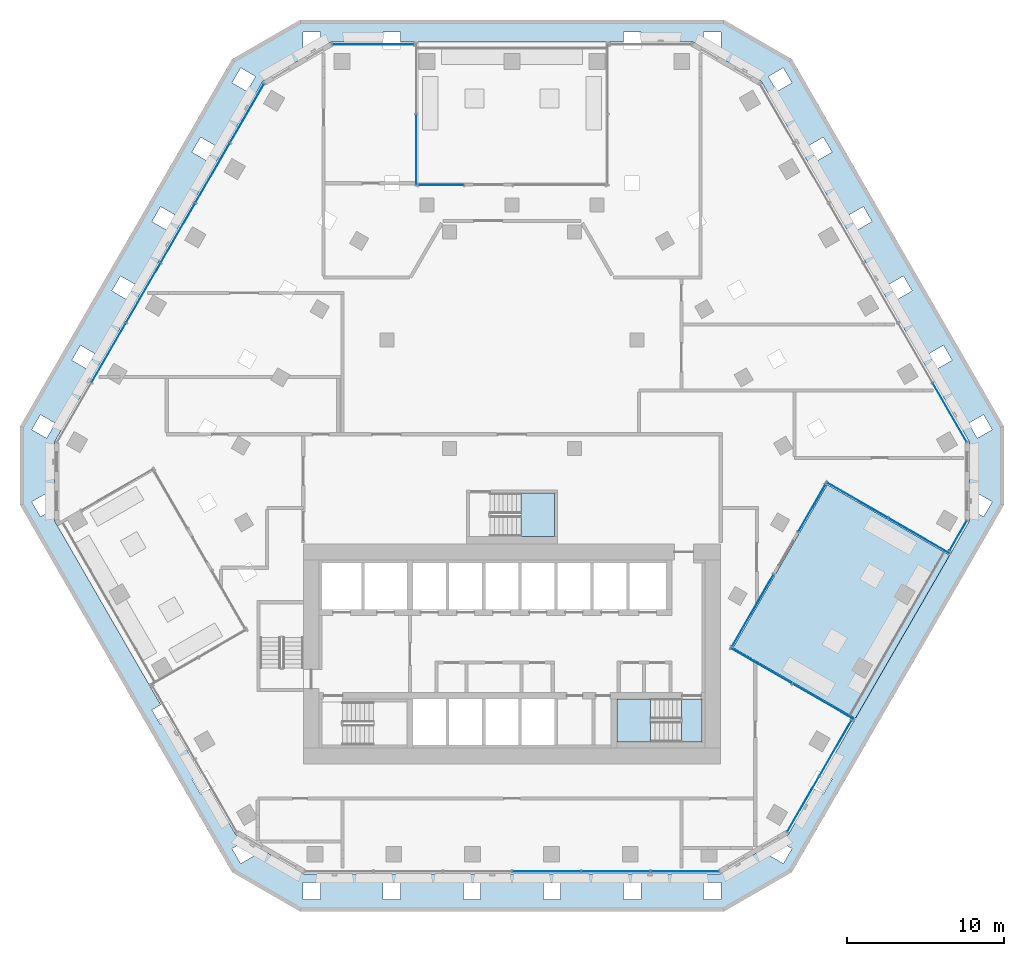
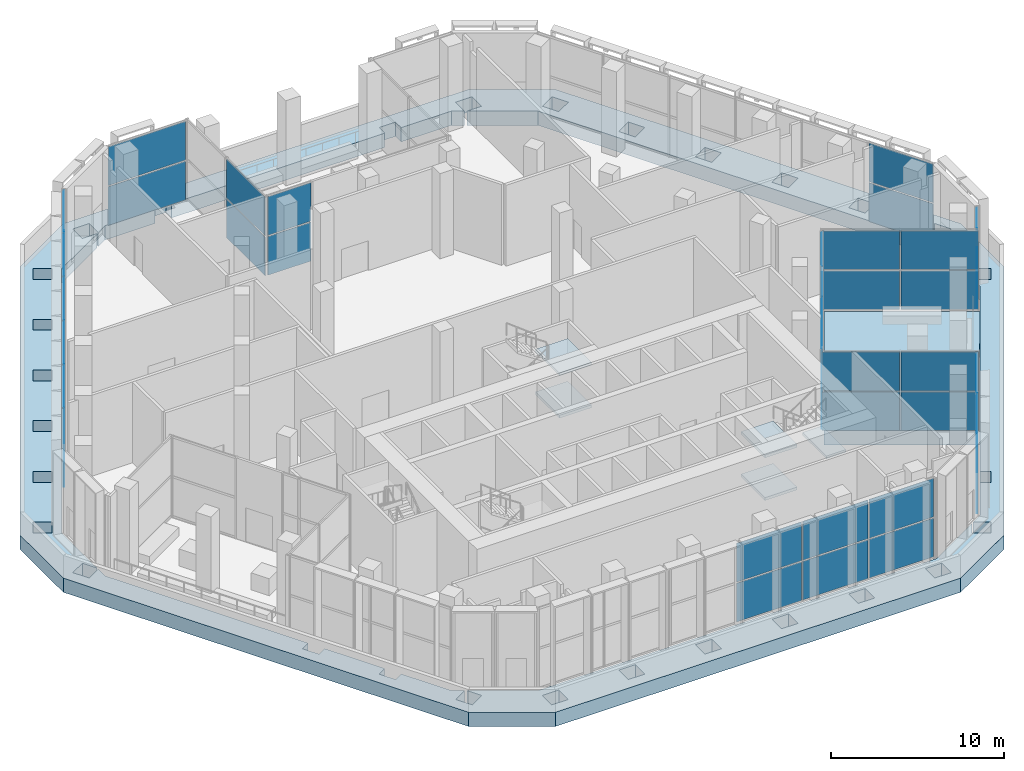
# One storey, part 7 of 23: 42 plates, 7 slabs, 14 elements without a shape of their own.
"""IFC4 building model written with IfcOpenShell, lengths in metres."""

from ifc_helpers import new_model, si_unit, direction, frame, origin, origin_2d, place, context, subcontext, project, spatial, polyline, rectangle, outline, extrude, material, layer, layer_set, type_object, element, aggregate, save


model = new_model("IFC4")

# Units and contexts
model_context = context("Model", 3, precision=1e-05, world=origin(), true_north=direction((0.0, 1.0)))
body_context = subcontext(model_context, "Body", "Model", "MODEL_VIEW")
ifc_project = project(units=[si_unit("LENGTHUNIT", "METRE"), si_unit("AREAUNIT", "SQUARE_METRE"), si_unit("VOLUMEUNIT", "CUBIC_METRE"), si_unit("PLANEANGLEUNIT", "RADIAN"), si_unit("MASSUNIT", "GRAM", prefix="KILO")], contexts=[model_context])

# Site, building, storey
site_placement = place(None, origin())
site = spatial("IfcSite", under=ifc_project, at=site_placement, CompositionType="ELEMENT")
building_placement = place(site_placement, origin())
building = spatial("IfcBuilding", under=site, at=building_placement, Name="Beryl Residences", CompositionType="ELEMENT")
storey_placement = place(building_placement, frame((0.0, 0.0, 66.0)))
storey = spatial("IfcBuildingStorey", under=building, at=storey_placement, Name="L20", CompositionType="ELEMENT", Elevation=66.0)

# Curtain wall, plates
ifc_material_1 = material(Name="Aluminium and clear glass", Category="aluminium")
curtain_wall_type = type_object("IfcCurtainWallType", Name="CW3 sky garden glazing glazed wall", PredefinedType="NOTDEFINED", material=ifc_material_1)
curtain_wall_1_placement = place(storey_placement, origin())
curtain_wall_1 = element("IfcCurtainWall", 1, at=curtain_wall_1_placement, inside=storey, type_object=curtain_wall_type, Name="CW3 L20 N", PredefinedType="NOTDEFINED")
ifc_material_2 = material(Name="Clear laminated glass", Category="glass")
ifc_layer_1 = layer(ifc_material_2, 0.028076171875)
ifc_layer_set_1 = layer_set([ifc_layer_1], Name="CW3-P glazing panel 28 mm")
plate_type = type_object("IfcPlateType", Name="CW3-P glazing panel 28 mm", PredefinedType="CURTAIN_PANEL", material=ifc_layer_set_1)
plate_1_placement = place(storey_placement, frame((-8.841064453125, 26.85009765625, 0.080078125), z_axis=(0.0, 0.0, 1.0), x_axis=(-1.0, 0.0, 0.0)))
plate_1 = element("IfcPlate", 2, at=plate_1_placement, type_object=plate_type, Name="CW3 panel 1.1", PredefinedType="CURTAIN_PANEL", context=body_context, shape_type="SweptSolid", body=[
    extrude(rectangle(XDim=5.172119140625, YDim=0.028076171875, at=origin_2d()), origin(), (0.0, 0.0, 1.0), 2.72998046875),
])
plate_2_placement = place(storey_placement, frame((-8.841064453125, 26.85009765625, 2.889892578125), z_axis=(0.0, 0.0, 1.0), x_axis=(-1.0, 0.0, 0.0)))
plate_2 = element("IfcPlate", 3, at=plate_2_placement, type_object=plate_type, Name="CW3 panel 1.2", PredefinedType="CURTAIN_PANEL", context=body_context, shape_type="SweptSolid", body=[
    extrude(rectangle(XDim=5.172119140625, YDim=0.028076171875, at=origin_2d()), origin(), (0.0, 0.0, 1.0), 2.72998046875),
])
aggregate(curtain_wall_1, [plate_1, plate_2])

curtain_wall_2_placement = place(storey_placement, origin())
curtain_wall_2 = element("IfcCurtainWall", 4, at=curtain_wall_2_placement, inside=storey, type_object=curtain_wall_type, Name="CW3 L20 NW", PredefinedType="NOTDEFINED")
plate_3_placement = place(storey_placement, frame((-16.88134765625, 22.4619140625, 0.080078125), z_axis=(0.0, 0.0, 1.0), x_axis=(-0.500010149942, -0.866019543634, 0.0)))
plate_3 = element("IfcPlate", 5, at=plate_3_placement, type_object=plate_type, Name="CW3 panel 1.1", PredefinedType="CURTAIN_PANEL", context=body_context, shape_type="SweptSolid", body=[
    extrude(rectangle(XDim=4.29296875, YDim=0.028076171875, at=origin_2d()), origin(), (0.0, 0.0, 1.0), 2.72998046875),
])
plate_4_placement = place(storey_placement, frame((-16.88134765625, 22.4619140625, 2.889892578125), z_axis=(0.0, 0.0, 1.0), x_axis=(-0.500010149942, -0.866019543634, 0.0)))
plate_4 = element("IfcPlate", 6, at=plate_4_placement, type_object=plate_type, Name="CW3 panel 1.2", PredefinedType="CURTAIN_PANEL", context=body_context, shape_type="SweptSolid", body=[
    extrude(rectangle(XDim=4.29296875, YDim=0.028076171875, at=origin_2d()), origin(), (0.0, 0.0, 1.0), 2.72998046875),
])
plate_5_placement = place(storey_placement, frame((-19.07763671875, 18.657470703125, 0.080078125), z_axis=(0.0, 0.0, 1.0), x_axis=(-0.500010149942, -0.866019543634, 0.0)))
plate_5 = element("IfcPlate", 7, at=plate_5_placement, type_object=plate_type, Name="CW3 panel 2.1", PredefinedType="CURTAIN_PANEL", context=body_context, shape_type="SweptSolid", body=[
    extrude(rectangle(XDim=4.3330078125, YDim=0.028076171875, at=origin_2d()), origin(), (0.0, 0.0, 1.0), 2.72998046875),
])
plate_6_placement = place(storey_placement, frame((-19.07763671875, 18.657470703125, 2.889892578125), z_axis=(0.0, 0.0, 1.0), x_axis=(-0.500010149942, -0.866019543634, 0.0)))
plate_6 = element("IfcPlate", 8, at=plate_6_placement, type_object=plate_type, Name="CW3 panel 2.2", PredefinedType="CURTAIN_PANEL", context=body_context, shape_type="SweptSolid", body=[
    extrude(rectangle(XDim=4.3330078125, YDim=0.028076171875, at=origin_2d()), origin(), (0.0, 0.0, 1.0), 2.72998046875),
])
plate_7_placement = place(storey_placement, frame((-21.2841796875, 14.8359375, 0.080078125), z_axis=(0.0, 0.0, 1.0), x_axis=(-0.500010149942, -0.866019543634, 0.0)))
plate_7 = element("IfcPlate", 9, at=plate_7_placement, type_object=plate_type, Name="CW3 panel 3.1", PredefinedType="CURTAIN_PANEL", context=body_context, shape_type="SweptSolid", body=[
    extrude(rectangle(XDim=4.3330078125, YDim=0.028076171875, at=origin_2d()), origin(), (0.0, 0.0, 1.0), 2.72998046875),
])
plate_8_placement = place(storey_placement, frame((-21.2841796875, 14.8359375, 2.889892578125), z_axis=(0.0, 0.0, 1.0), x_axis=(-0.500010149942, -0.866019543634, 0.0)))
plate_8 = element("IfcPlate", 10, at=plate_8_placement, type_object=plate_type, Name="CW3 panel 3.2", PredefinedType="CURTAIN_PANEL", context=body_context, shape_type="SweptSolid", body=[
    extrude(rectangle(XDim=4.3330078125, YDim=0.028076171875, at=origin_2d()), origin(), (0.0, 0.0, 1.0), 2.72998046875),
])
plate_9_placement = place(storey_placement, frame((-23.49072265625, 11.01416015625, 0.080078125), z_axis=(0.0, 0.0, 1.0), x_axis=(-0.500010149942, -0.866019543634, 0.0)))
plate_9 = element("IfcPlate", 11, at=plate_9_placement, type_object=plate_type, Name="CW3 panel 4.1", PredefinedType="CURTAIN_PANEL", context=body_context, shape_type="SweptSolid", body=[
    extrude(rectangle(XDim=4.3330078125, YDim=0.028076171875, at=origin_2d()), origin(), (0.0, 0.0, 1.0), 2.72998046875),
])
plate_10_placement = place(storey_placement, frame((-23.49072265625, 11.01416015625, 2.889892578125), z_axis=(0.0, 0.0, 1.0), x_axis=(-0.500010149942, -0.866019543634, 0.0)))
plate_10 = element("IfcPlate", 12, at=plate_10_placement, type_object=plate_type, Name="CW3 panel 4.2", PredefinedType="CURTAIN_PANEL", context=body_context, shape_type="SweptSolid", body=[
    extrude(rectangle(XDim=4.3330078125, YDim=0.028076171875, at=origin_2d()), origin(), (0.0, 0.0, 1.0), 2.72998046875),
])
plate_11_placement = place(storey_placement, frame((-25.697265625, 7.1923828125, 0.080078125), z_axis=(0.0, 0.0, 1.0), x_axis=(-0.500010149942, -0.866019543634, 0.0)))
plate_11 = element("IfcPlate", 13, at=plate_11_placement, type_object=plate_type, Name="CW3 panel 5.1", PredefinedType="CURTAIN_PANEL", context=body_context, shape_type="SweptSolid", body=[
    extrude(rectangle(XDim=4.3330078125, YDim=0.028076171875, at=origin_2d()), origin(), (0.0, 0.0, 1.0), 2.72998046875),
])
plate_12_placement = place(storey_placement, frame((-25.697265625, 7.1923828125, 2.889892578125), z_axis=(0.0, 0.0, 1.0), x_axis=(-0.500010149942, -0.866019543634, 0.0)))
plate_12 = element("IfcPlate", 14, at=plate_12_placement, type_object=plate_type, Name="CW3 panel 5.2", PredefinedType="CURTAIN_PANEL", context=body_context, shape_type="SweptSolid", body=[
    extrude(rectangle(XDim=4.3330078125, YDim=0.028076171875, at=origin_2d()), origin(), (0.0, 0.0, 1.0), 2.72998046875),
])
aggregate(curtain_wall_2, [plate_3, plate_4, plate_5, plate_6, plate_7, plate_8, plate_9, plate_10, plate_11, plate_12])

curtain_wall_3_placement = place(storey_placement, origin())
curtain_wall_3 = element("IfcCurtainWall", 15, at=curtain_wall_3_placement, inside=storey, type_object=curtain_wall_type, Name="CW3 L20 S", PredefinedType="NOTDEFINED")
plate_13_placement = place(storey_placement, frame((2.20654296875, -25.85009765625, 0.080078125), z_axis=(0.0, 0.0, 1.0), x_axis=(1.0, 0.0, 0.0)))
plate_13 = element("IfcPlate", 16, at=plate_13_placement, type_object=plate_type, Name="CW3 panel 4.1", PredefinedType="CURTAIN_PANEL", context=body_context, shape_type="SweptSolid", body=[
    extrude(rectangle(XDim=4.3330078125, YDim=0.028076171875, at=origin_2d()), origin(), (0.0, 0.0, 1.0), 2.72998046875),
])
plate_14_placement = place(storey_placement, frame((2.20654296875, -25.85009765625, 2.889892578125), z_axis=(0.0, 0.0, 1.0), x_axis=(1.0, 0.0, 0.0)))
plate_14 = element("IfcPlate", 17, at=plate_14_placement, type_object=plate_type, Name="CW3 panel 4.2", PredefinedType="CURTAIN_PANEL", context=body_context, shape_type="SweptSolid", body=[
    extrude(rectangle(XDim=4.3330078125, YDim=0.028076171875, at=origin_2d()), origin(), (0.0, 0.0, 1.0), 2.72998046875),
])
plate_15_placement = place(storey_placement, frame((6.619384765625, -25.85009765625, 0.080078125), z_axis=(0.0, 0.0, 1.0), x_axis=(1.0, 0.0, 0.0)))
plate_15 = element("IfcPlate", 18, at=plate_15_placement, type_object=plate_type, Name="CW3 panel 5.1", PredefinedType="CURTAIN_PANEL", context=body_context, shape_type="SweptSolid", body=[
    extrude(rectangle(XDim=4.3330078125, YDim=0.028076171875, at=origin_2d()), origin(), (0.0, 0.0, 1.0), 2.72998046875),
])
plate_16_placement = place(storey_placement, frame((6.619384765625, -25.85009765625, 2.889892578125), z_axis=(0.0, 0.0, 1.0), x_axis=(1.0, 0.0, 0.0)))
plate_16 = element("IfcPlate", 19, at=plate_16_placement, type_object=plate_type, Name="CW3 panel 5.2", PredefinedType="CURTAIN_PANEL", context=body_context, shape_type="SweptSolid", body=[
    extrude(rectangle(XDim=4.3330078125, YDim=0.028076171875, at=origin_2d()), origin(), (0.0, 0.0, 1.0), 2.72998046875),
])
plate_17_placement = place(storey_placement, frame((11.012451171875, -25.85009765625, 0.080078125), z_axis=(0.0, 0.0, 1.0), x_axis=(1.0, 0.0, 0.0)))
plate_17 = element("IfcPlate", 20, at=plate_17_placement, type_object=plate_type, Name="CW3 panel 6.1", PredefinedType="CURTAIN_PANEL", context=body_context, shape_type="SweptSolid", body=[
    extrude(rectangle(XDim=4.29296875, YDim=0.028076171875, at=origin_2d()), origin(), (0.0, 0.0, 1.0), 2.72998046875),
])
plate_18_placement = place(storey_placement, frame((11.012451171875, -25.85009765625, 2.889892578125), z_axis=(0.0, 0.0, 1.0), x_axis=(1.0, 0.0, 0.0)))
plate_18 = element("IfcPlate", 21, at=plate_18_placement, type_object=plate_type, Name="CW3 panel 6.2", PredefinedType="CURTAIN_PANEL", context=body_context, shape_type="SweptSolid", body=[
    extrude(rectangle(XDim=4.29296875, YDim=0.028076171875, at=origin_2d()), origin(), (0.0, 0.0, 1.0), 2.72998046875),
])
aggregate(curtain_wall_3, [plate_13, plate_14, plate_15, plate_16, plate_17, plate_18])

curtain_wall_4_placement = place(storey_placement, origin())
curtain_wall_4 = element("IfcCurtainWall", 22, at=curtain_wall_4_placement, inside=storey, type_object=curtain_wall_type, Name="CW3 L20 SE", PredefinedType="NOTDEFINED")
plate_19_placement = place(storey_placement, frame((18.551513671875, -21.56884765625, 0.080078125), z_axis=(0.0, 0.0, 1.0), x_axis=(0.500037611077, 0.86600368793, 0.0)))
plate_19 = element("IfcPlate", 23, at=plate_19_placement, type_object=plate_type, Name="CW3 panel 1.1", PredefinedType="CURTAIN_PANEL", context=body_context, shape_type="SweptSolid", body=[
    extrude(rectangle(XDim=4.045654296875, YDim=0.028076171875, at=origin_2d()), origin(), (0.0, 0.0, 1.0), 2.72998046875),
])
plate_20_placement = place(storey_placement, frame((18.551513671875, -21.56884765625, 2.889892578125), z_axis=(0.0, 0.0, 1.0), x_axis=(0.500037611077, 0.86600368793, 0.0)))
plate_20 = element("IfcPlate", 24, at=plate_20_placement, type_object=plate_type, Name="CW3 panel 1.2", PredefinedType="CURTAIN_PANEL", context=body_context, shape_type="SweptSolid", body=[
    extrude(rectangle(XDim=4.045654296875, YDim=0.028076171875, at=origin_2d()), origin(), (0.0, 0.0, 1.0), 2.72998046875),
])
plate_21_placement = place(storey_placement, frame((20.614501953125, -17.99609375, 0.080078125), z_axis=(0.0, 0.0, 1.0), x_axis=(0.500037611077, 0.86600368793, 0.0)))
plate_21 = element("IfcPlate", 25, at=plate_21_placement, type_object=plate_type, Name="CW3 panel 2.1", PredefinedType="CURTAIN_PANEL", context=body_context, shape_type="SweptSolid", body=[
    extrude(rectangle(XDim=4.045654296875, YDim=0.028076171875, at=origin_2d()), origin(), (0.0, 0.0, 1.0), 2.72998046875),
])
plate_22_placement = place(storey_placement, frame((20.614501953125, -17.99609375, 2.889892578125), z_axis=(0.0, 0.0, 1.0), x_axis=(0.500037611077, 0.86600368793, 0.0)))
plate_22 = element("IfcPlate", 26, at=plate_22_placement, type_object=plate_type, Name="CW3 panel 2.2", PredefinedType="CURTAIN_PANEL", context=body_context, shape_type="SweptSolid", body=[
    extrude(rectangle(XDim=4.045654296875, YDim=0.028076171875, at=origin_2d()), origin(), (0.0, 0.0, 1.0), 2.72998046875),
])
aggregate(curtain_wall_4, [plate_19, plate_20, plate_21, plate_22])

curtain_wall_5_placement = place(storey_placement, origin())
curtain_wall_5 = element("IfcCurtainWall", 27, at=curtain_wall_5_placement, inside=storey, type_object=curtain_wall_type, Name="CW3 L20 SE", PredefinedType="NOTDEFINED")
plate_23_placement = place(storey_placement, frame((28.424072265625, -4.469482421875, 0.080078125), z_axis=(0.0, 0.0, 1.0), x_axis=(0.500106088592, 0.865964144843, 0.0)))
plate_23 = element("IfcPlate", 28, at=plate_23_placement, type_object=plate_type, Name="CW3 panel 1.1", PredefinedType="CURTAIN_PANEL", context=body_context, shape_type="SweptSolid", body=[
    extrude(rectangle(XDim=2.17138671875, YDim=0.028076171875, at=origin_2d()), origin(), (0.0, 0.0, 1.0), 2.72998046875),
])
plate_24_placement = place(storey_placement, frame((28.424072265625, -4.469482421875, 2.889892578125), z_axis=(0.0, 0.0, 1.0), x_axis=(0.500106088592, 0.865964144843, 0.0)))
plate_24 = element("IfcPlate", 29, at=plate_24_placement, type_object=plate_type, Name="CW3 panel 1.2", PredefinedType="CURTAIN_PANEL", context=body_context, shape_type="SweptSolid", body=[
    extrude(rectangle(XDim=2.17138671875, YDim=0.028076171875, at=origin_2d()), origin(), (0.0, 0.0, 1.0), 2.72998046875),
])
aggregate(curtain_wall_5, [plate_23, plate_24])

curtain_wall_6_placement = place(storey_placement, origin())
curtain_wall_6 = element("IfcCurtainWall", 30, at=curtain_wall_6_placement, inside=storey, type_object=curtain_wall_type, Name="CW3 L20 NE", PredefinedType="NOTDEFINED")
plate_25_placement = place(storey_placement, frame((27.893798828125, 3.38818359375, 0.080078125), z_axis=(0.0, 0.0, 1.0), x_axis=(-0.500010149942, 0.866019543634, 0.0)))
plate_25 = element("IfcPlate", 31, at=plate_25_placement, type_object=plate_type, Name="CW3 panel 1.1", PredefinedType="CURTAIN_PANEL", context=body_context, shape_type="SweptSolid", body=[
    extrude(rectangle(XDim=4.29296875, YDim=0.028076171875, at=origin_2d()), origin(), (0.0, 0.0, 1.0), 2.72998046875),
])
plate_26_placement = place(storey_placement, frame((27.893798828125, 3.38818359375, 2.889892578125), z_axis=(0.0, 0.0, 1.0), x_axis=(-0.500010149942, 0.866019543634, 0.0)))
plate_26 = element("IfcPlate", 32, at=plate_26_placement, type_object=plate_type, Name="CW3 panel 1.2", PredefinedType="CURTAIN_PANEL", context=body_context, shape_type="SweptSolid", body=[
    extrude(rectangle(XDim=4.29296875, YDim=0.028076171875, at=origin_2d()), origin(), (0.0, 0.0, 1.0), 2.72998046875),
])
aggregate(curtain_wall_6, [plate_25, plate_26])

curtain_wall_7_placement = place(storey_placement, origin())
curtain_wall_7 = element("IfcCurtainWall", 33, at=curtain_wall_7_placement, inside=storey, type_object=curtain_wall_type, Name="CW3 L20 N garden back", PredefinedType="NOTDEFINED")
plate_27_placement = place(storey_placement, frame((-4.512451171875, 17.89990234375, 0.080078125), z_axis=(0.0, 0.0, 1.0), x_axis=(-1.0, 0.0, 0.0)))
plate_27 = element("IfcPlate", 34, at=plate_27_placement, type_object=plate_type, Name="CW3 panel 1.1", PredefinedType="CURTAIN_PANEL", context=body_context, shape_type="SweptSolid", body=[
    extrude(rectangle(XDim=2.864990234375, YDim=0.028076171875, at=origin_2d()), origin(), (0.0, 0.0, 1.0), 2.72998046875),
])
plate_28_placement = place(storey_placement, frame((-4.512451171875, 17.89990234375, 2.889892578125), z_axis=(0.0, 0.0, 1.0), x_axis=(-1.0, 0.0, 0.0)))
plate_28 = element("IfcPlate", 35, at=plate_28_placement, type_object=plate_type, Name="CW3 panel 1.2", PredefinedType="CURTAIN_PANEL", context=body_context, shape_type="SweptSolid", body=[
    extrude(rectangle(XDim=2.864990234375, YDim=0.028076171875, at=origin_2d()), origin(), (0.0, 0.0, 1.0), 2.72998046875),
])
aggregate(curtain_wall_7, [plate_27, plate_28])

curtain_wall_8_placement = place(storey_placement, origin())
curtain_wall_8 = element("IfcCurtainWall", 36, at=curtain_wall_8_placement, inside=storey, type_object=curtain_wall_type, Name="CW3 L20 N garden right", PredefinedType="NOTDEFINED")
plate_29_placement = place(storey_placement, frame((-6.10009765625, 20.138671875, 0.080078125), z_axis=(0.0, 0.0, 1.0), x_axis=(0.0, -1.0, 0.0)))
plate_29 = element("IfcPlate", 37, at=plate_29_placement, type_object=plate_type, Name="CW3 panel 2.1", PredefinedType="CURTAIN_PANEL", context=body_context, shape_type="SweptSolid", body=[
    extrude(rectangle(XDim=4.467529296875, YDim=0.028076171875, at=origin_2d()), origin(), (0.0, 0.0, 1.0), 2.72998046875),
])
plate_30_placement = place(storey_placement, frame((-6.10009765625, 20.138671875, 2.889892578125), z_axis=(0.0, 0.0, 1.0), x_axis=(0.0, -1.0, 0.0)))
plate_30 = element("IfcPlate", 38, at=plate_30_placement, type_object=plate_type, Name="CW3 panel 2.2", PredefinedType="CURTAIN_PANEL", context=body_context, shape_type="SweptSolid", body=[
    extrude(rectangle(XDim=4.467529296875, YDim=0.028076171875, at=origin_2d()), origin(), (0.0, 0.0, 1.0), 2.72998046875),
])
aggregate(curtain_wall_8, [plate_29, plate_30])

curtain_wall_9_placement = place(storey_placement, origin())
curtain_wall_9 = element("IfcCurtainWall", 39, at=curtain_wall_9_placement, inside=storey, type_object=curtain_wall_type, Name="CW3 L20 SE garden back", PredefinedType="NOTDEFINED")
plate_31_placement = place(storey_placement, frame((15.345947265625, -9.220947265625, 0.080078125), z_axis=(0.0, 0.0, 1.0), x_axis=(0.499945861541, 0.866056658382, 0.0)))
plate_31 = element("IfcPlate", 40, at=plate_31_placement, type_object=plate_type, Name="CW3 panel 1.1", PredefinedType="CURTAIN_PANEL", context=body_context, shape_type="SweptSolid", body=[
    extrude(rectangle(XDim=5.2646484375, YDim=0.028076171875, at=origin_2d()), origin(), (0.0, 0.0, 1.0), 2.72998046875),
])
plate_32_placement = place(storey_placement, frame((15.345947265625, -9.220947265625, 2.889892578125), z_axis=(0.0, 0.0, 1.0), x_axis=(0.499945861541, 0.866056658382, 0.0)))
plate_32 = element("IfcPlate", 41, at=plate_32_placement, type_object=plate_type, Name="CW3 panel 1.2", PredefinedType="CURTAIN_PANEL", context=body_context, shape_type="SweptSolid", body=[
    extrude(rectangle(XDim=5.2646484375, YDim=0.028076171875, at=origin_2d()), origin(), (0.0, 0.0, 1.0), 2.72998046875),
])
aggregate(curtain_wall_9, [plate_31, plate_32])

curtain_wall_10_placement = place(storey_placement, origin())
curtain_wall_10 = element("IfcCurtainWall", 42, at=curtain_wall_10_placement, inside=storey, type_object=curtain_wall_type, Name="CW3 L20 SE garden back", PredefinedType="NOTDEFINED")
plate_33_placement = place(storey_placement, frame((19.1083984375, -2.7041015625, 0.080078125), z_axis=(0.0, 0.0, 1.0), x_axis=(0.500024853773, 0.866011053976, 0.0)))
plate_33 = element("IfcPlate", 43, at=plate_33_placement, type_object=plate_type, Name="CW3 panel 1.1", PredefinedType="CURTAIN_PANEL", context=body_context, shape_type="SweptSolid", body=[
    extrude(rectangle(XDim=3.4658203125, YDim=0.028076171875, at=origin_2d()), origin(), (0.0, 0.0, 1.0), 2.72998046875),
])
plate_34_placement = place(storey_placement, frame((19.1083984375, -2.7041015625, 2.889892578125), z_axis=(0.0, 0.0, 1.0), x_axis=(0.500024853773, 0.866011053976, 0.0)))
plate_34 = element("IfcPlate", 44, at=plate_34_placement, type_object=plate_type, Name="CW3 panel 1.2", PredefinedType="CURTAIN_PANEL", context=body_context, shape_type="SweptSolid", body=[
    extrude(rectangle(XDim=3.4658203125, YDim=0.028076171875, at=origin_2d()), origin(), (0.0, 0.0, 1.0), 2.72998046875),
])
aggregate(curtain_wall_10, [plate_33, plate_34])

curtain_wall_11_placement = place(storey_placement, origin())
curtain_wall_11 = element("IfcCurtainWall", 45, at=curtain_wall_11_placement, inside=storey, type_object=curtain_wall_type, Name="CW3 L20 SE garden left", PredefinedType="NOTDEFINED")
plate_35_placement = place(storey_placement, frame((19.8291015625, -15.028076171875, 0.080078125), z_axis=(0.0, 0.0, 1.0), x_axis=(-0.866007717298, 0.500030632642, 0.0)))
plate_35 = element("IfcPlate", 46, at=plate_35_placement, type_object=plate_type, Name="CW3 panel 1.1", PredefinedType="CURTAIN_PANEL", context=body_context, shape_type="SweptSolid", body=[
    extrude(rectangle(XDim=4.4677734375, YDim=0.028076171875, at=origin_2d()), origin(), (0.0, 0.0, 1.0), 2.72998046875),
])
plate_36_placement = place(storey_placement, frame((19.8291015625, -15.028076171875, 2.889892578125), z_axis=(0.0, 0.0, 1.0), x_axis=(-0.866007717298, 0.500030632642, 0.0)))
plate_36 = element("IfcPlate", 47, at=plate_36_placement, type_object=plate_type, Name="CW3 panel 1.2", PredefinedType="CURTAIN_PANEL", context=body_context, shape_type="SweptSolid", body=[
    extrude(rectangle(XDim=4.4677734375, YDim=0.028076171875, at=origin_2d()), origin(), (0.0, 0.0, 1.0), 2.72998046875),
])
plate_37_placement = place(storey_placement, frame((15.890869140625, -12.75390625, 0.080078125), z_axis=(0.0, 0.0, 1.0), x_axis=(-0.866007717298, 0.500030632642, 0.0)))
plate_37 = element("IfcPlate", 48, at=plate_37_placement, type_object=plate_type, Name="CW3 panel 2.1", PredefinedType="CURTAIN_PANEL", context=body_context, shape_type="SweptSolid", body=[
    extrude(rectangle(XDim=4.4677734375, YDim=0.028076171875, at=origin_2d()), origin(), (0.0, 0.0, 1.0), 2.72998046875),
])
plate_38_placement = place(storey_placement, frame((15.890869140625, -12.75390625, 2.889892578125), z_axis=(0.0, 0.0, 1.0), x_axis=(-0.866007717298, 0.500030632642, 0.0)))
plate_38 = element("IfcPlate", 49, at=plate_38_placement, type_object=plate_type, Name="CW3 panel 2.2", PredefinedType="CURTAIN_PANEL", context=body_context, shape_type="SweptSolid", body=[
    extrude(rectangle(XDim=4.4677734375, YDim=0.028076171875, at=origin_2d()), origin(), (0.0, 0.0, 1.0), 2.72998046875),
])
aggregate(curtain_wall_11, [plate_35, plate_36, plate_37, plate_38])

curtain_wall_12_placement = place(storey_placement, origin())
curtain_wall_12 = element("IfcCurtainWall", 50, at=curtain_wall_12_placement, inside=storey, type_object=curtain_wall_type, Name="CW3 L20 SE garden right", PredefinedType="NOTDEFINED")
plate_39_placement = place(storey_placement, frame((25.92919921875, -4.462158203125, 0.080078125), z_axis=(0.0, 0.0, 1.0), x_axis=(-0.866054910532, 0.499948889332, 0.0)))
plate_39 = element("IfcPlate", 51, at=plate_39_placement, type_object=plate_type, Name="CW3 panel 1.1", PredefinedType="CURTAIN_PANEL", context=body_context, shape_type="SweptSolid", body=[
    extrude(rectangle(XDim=4.467529296875, YDim=0.028076171875, at=origin_2d()), origin(), (0.0, 0.0, 1.0), 2.72998046875),
])
plate_40_placement = place(storey_placement, frame((25.92919921875, -4.462158203125, 2.889892578125), z_axis=(0.0, 0.0, 1.0), x_axis=(-0.866054910532, 0.499948889332, 0.0)))
plate_40 = element("IfcPlate", 52, at=plate_40_placement, type_object=plate_type, Name="CW3 panel 1.2", PredefinedType="CURTAIN_PANEL", context=body_context, shape_type="SweptSolid", body=[
    extrude(rectangle(XDim=4.467529296875, YDim=0.028076171875, at=origin_2d()), origin(), (0.0, 0.0, 1.0), 2.72998046875),
])
plate_41_placement = place(storey_placement, frame((21.99072265625, -2.188720703125, 0.080078125), z_axis=(0.0, 0.0, 1.0), x_axis=(-0.866054910532, 0.499948889332, 0.0)))
plate_41 = element("IfcPlate", 53, at=plate_41_placement, type_object=plate_type, Name="CW3 panel 2.1", PredefinedType="CURTAIN_PANEL", context=body_context, shape_type="SweptSolid", body=[
    extrude(rectangle(XDim=4.467529296875, YDim=0.028076171875, at=origin_2d()), origin(), (0.0, 0.0, 1.0), 2.72998046875),
])
plate_42_placement = place(storey_placement, frame((21.99072265625, -2.188720703125, 2.889892578125), z_axis=(0.0, 0.0, 1.0), x_axis=(-0.866054910532, 0.499948889332, 0.0)))
plate_42 = element("IfcPlate", 54, at=plate_42_placement, type_object=plate_type, Name="CW3 panel 2.2", PredefinedType="CURTAIN_PANEL", context=body_context, shape_type="SweptSolid", body=[
    extrude(rectangle(XDim=4.467529296875, YDim=0.028076171875, at=origin_2d()), origin(), (0.0, 0.0, 1.0), 2.72998046875),
])
aggregate(curtain_wall_12, [plate_39, plate_40, plate_41, plate_42])

# Slabs
ifc_material_3 = material(Name="Concrete C60/75", Category="concrete")
ifc_layer_2 = layer(ifc_material_3, 1.0)
ifc_layer_set_2 = layer_set([ifc_layer_2], Name="SL10 garden slab 1000 mm C60/75")
slab_type_1 = type_object("IfcSlabType", Name="SL10 garden slab 1000 mm C60/75", PredefinedType="FLOOR", material=ifc_layer_set_2)
slab_1_placement = place(storey_placement, frame((0.0, 0.0, -1.0)))
element("IfcSlab", 55, at=slab_1_placement, inside=storey, type_object=slab_type_1, Name="garden L20 SE 1", PredefinedType="FLOOR", context=body_context, shape_type="SweptSolid", body=[
    extrude(outline(polyline([(27.88330078125, -5.7060546875), (21.8828125, -16.097900390625), (14.089111328125, -11.597900390625), (20.089111328125, -1.2060546875), (27.88330078125, -5.7060546875)])), origin(), (0.0, 0.0, 1.0), 1.0),
])
ifc_material_4 = material(Name="Concrete C60/75", Category="concrete")
ifc_layer_3 = layer(ifc_material_4, 1.0)
ifc_layer_set_3 = layer_set([ifc_layer_3], Name="SL11 roof strip slab 1000 mm C60/75")
slab_type_2 = type_object("IfcSlabType", Name="SL11 roof strip slab 1000 mm C60/75", PredefinedType="ROOF", material=ifc_layer_set_3)
slab_2_placement = place(storey_placement, frame((0.0, 0.0, -1.0)))
element("IfcSlab", 56, at=slab_2_placement, inside=storey, type_object=slab_type_2, Name="roof L20 1 1", PredefinedType="ROOF", context=body_context, shape_type="SweptSolid", body=[
    extrude(outline(polyline([(31.35009765625, -2.5), (17.840087890625, -25.89990234375), (13.510009765625, -28.39990234375), (-13.510009765625, -28.39990234375), (-17.840087890625, -25.89990234375), (-31.35009765625, -2.5), (-31.35009765625, 2.5), (-17.840087890625, 25.89990234375), (-13.510009765625, 28.39990234375), (13.510009765625, 28.39990234375), (17.840087890625, 25.89990234375), (31.35009765625, 2.5), (31.35009765625, -2.5)]), holes=[polyline([(11.547119140625, 27.0009765625), (8.205078125, 27.0009765625), (8.205078125, 27.64990234375), (7.10498046875, 27.64990234375), (7.10498046875, 27.0009765625), (-7.10693359375, 27.0009765625), (-7.10693359375, 27.64990234375), (-8.20703125, 27.64990234375), (-8.20703125, 27.0009765625), (-11.547119140625, 27.0009765625), (-12.2109375, 26.617919921875), (-12.2109375, 27.64990234375), (-13.31103515625, 27.64990234375), (-13.31103515625, 26.550048828125), (-12.328369140625, 26.550048828125), (-15.87744140625, 24.5009765625), (-29.157958984375, 1.50048828125), (-29.157958984375, -2.595458984375), (-29.64697265625, -1.7490234375), (-30.59912109375, -2.299072265625), (-30.049072265625, -3.2509765625), (-29.157958984375, -2.736083984375), (-29.157958984375, -3.5), (-22.382080078125, -15.2353515625), (-22.944091796875, -15.56005859375), (-22.39404296875, -16.511962890625), (-21.83251953125, -16.1875), (-19.830078125, -19.6552734375), (-20.39208984375, -19.97998046875), (-19.842041015625, -20.931884765625), (-19.2802734375, -20.607421875), (-17.60986328125, -23.50048828125), (-16.9462890625, -23.8837890625), (-17.840087890625, -24.39990234375), (-17.2900390625, -25.35205078125), (-16.337890625, -24.802001953125), (-16.82958984375, -23.951171875), (-13.279541015625, -26.0009765625), (13.279052734375, -26.0009765625), (16.830078125, -23.95068359375), (16.339111328125, -24.801025390625), (17.291015625, -25.35107421875), (17.841064453125, -24.39892578125), (16.94775390625, -23.8828125), (17.609619140625, -23.5009765625), (19.281005859375, -20.606201171875), (19.843017578125, -20.930908203125), (20.39306640625, -19.97900390625), (19.830810546875, -19.654296875), (29.157958984375, -3.50048828125), (29.157958984375, -2.734619140625), (30.050048828125, -3.25), (30.60009765625, -2.298095703125), (29.64794921875, -1.748046875), (29.157958984375, -2.59619140625), (29.157958984375, 1.5), (15.8779296875, 24.50048828125), (12.328369140625, 26.550048828125), (13.30908203125, 26.550048828125), (13.30908203125, 27.64990234375), (12.208984375, 27.64990234375), (12.208984375, 26.618896484375), (11.547119140625, 27.0009765625)]), polyline([(30.59912109375, 2.299072265625), (30.049072265625, 3.2509765625), (29.096923828125, 2.700927734375), (29.64697265625, 1.7490234375), (30.59912109375, 2.299072265625)]), polyline([(28.048095703125, 6.719970703125), (27.498046875, 7.672119140625), (26.5458984375, 7.1220703125), (27.095947265625, 6.169921875), (28.048095703125, 6.719970703125)]), polyline([(24.946044921875, 12.092041015625), (23.993896484375, 11.5419921875), (24.5439453125, 10.590087890625), (25.49609375, 11.139892578125), (24.946044921875, 12.092041015625)]), polyline([(22.944091796875, 15.56005859375), (22.39404296875, 16.511962890625), (21.44189453125, 15.9619140625), (21.991943359375, 15.010009765625), (22.944091796875, 15.56005859375)]), polyline([(19.842041015625, 20.931884765625), (18.889892578125, 20.382080078125), (19.43994140625, 19.429931640625), (20.39208984375, 19.97998046875), (19.842041015625, 20.931884765625)]), polyline([(17.840087890625, 24.39990234375), (17.2900390625, 25.35205078125), (16.337890625, 24.802001953125), (16.887939453125, 23.85009765625), (17.840087890625, 24.39990234375)]), polyline([(13.31103515625, -27.64990234375), (13.31103515625, -26.550048828125), (12.2109375, -26.550048828125), (12.2109375, -27.64990234375), (13.31103515625, -27.64990234375)]), polyline([(8.20703125, -27.64990234375), (8.20703125, -26.550048828125), (7.10693359375, -26.550048828125), (7.10693359375, -27.64990234375), (8.20703125, -27.64990234375)]), polyline([(2.0029296875, -27.64990234375), (3.10302734375, -27.64990234375), (3.10302734375, -26.550048828125), (2.0029296875, -26.550048828125), (2.0029296875, -27.64990234375)]), polyline([(-3.10107421875, -27.64990234375), (-2.0009765625, -27.64990234375), (-2.0009765625, -26.550048828125), (-3.10107421875, -26.550048828125), (-3.10107421875, -27.64990234375)]), polyline([(-7.10498046875, -27.64990234375), (-7.10498046875, -26.550048828125), (-8.205078125, -26.550048828125), (-8.205078125, -27.64990234375), (-7.10498046875, -27.64990234375)]), polyline([(-13.30908203125, -27.64990234375), (-12.208984375, -27.64990234375), (-12.208984375, -26.550048828125), (-13.30908203125, -26.550048828125), (-13.30908203125, -27.64990234375)]), polyline([(-17.841064453125, 24.39892578125), (-16.888916015625, 23.84912109375), (-16.339111328125, 24.801025390625), (-17.291015625, 25.35107421875), (-17.841064453125, 24.39892578125)]), polyline([(-19.843017578125, 20.930908203125), (-20.39306640625, 19.97900390625), (-19.44091796875, 19.428955078125), (-18.89111328125, 20.381103515625), (-19.843017578125, 20.930908203125)]), polyline([(-22.39501953125, 16.510009765625), (-22.945068359375, 15.55810546875), (-21.992919921875, 15.008056640625), (-21.443115234375, 15.9599609375), (-22.39501953125, 16.510009765625)]), polyline([(-25.4970703125, 11.137939453125), (-24.544921875, 10.587890625), (-23.9951171875, 11.5400390625), (-24.947021484375, 12.090087890625), (-25.4970703125, 11.137939453125)]), polyline([(-27.4990234375, 7.669921875), (-28.049072265625, 6.718017578125), (-27.096923828125, 6.16796875), (-26.547119140625, 7.1201171875), (-27.4990234375, 7.669921875)]), polyline([(-30.050048828125, 3.25), (-30.60009765625, 2.298095703125), (-29.64794921875, 1.748046875), (-29.097900390625, 2.699951171875), (-30.050048828125, 3.25)])]), origin(), (0.0, 0.0, 1.0), 1.0),
])

# Stair, slabs
ifc_material_5 = material(Name="Concrete C40/50", Category="concrete")
stair_type = type_object("IfcStairType", Name="ST1 protected exit stair, half-turn, 1300 mm flights", PredefinedType="HALF_TURN_STAIR", material=ifc_material_5)
stair_1_placement = place(storey_placement, origin())
stair_1 = element("IfcStair", 57, at=stair_1_placement, inside=storey, type_object=stair_type, Name="L20 PROTECTED EXIT STAIR ST-3", PredefinedType="HALF_TURN_STAIR")
ifc_material_6 = material(Name="Concrete C40/50", Category="concrete")
ifc_layer_4 = layer(ifc_material_6, 0.199951171875)
ifc_layer_set_4 = layer_set([ifc_layer_4], Name="SLD1 stair landing 200 mm")
slab_type_3 = type_object("IfcSlabType", Name="SLD1 stair landing 200 mm", PredefinedType="LANDING", material=ifc_layer_set_4)
slab_3_placement = place(storey_placement, frame((0.0, 0.0, 1.300048828125)))
slab_3 = element("IfcSlab", 58, at=slab_3_placement, type_object=slab_type_3, Name="ST-3 landing 1", PredefinedType="LANDING", context=body_context, shape_type="SweptSolid", body=[
    extrude(outline(polyline([(8.840087890625, -14.85009765625), (6.699951171875, -14.85009765625), (6.699951171875, -17.60009765625), (8.840087890625, -17.60009765625), (8.840087890625, -14.85009765625)])), origin(), (0.0, 0.0, 1.0), 0.199951171875),
])
slab_4_placement = place(storey_placement, frame((0.0, 0.0, 2.800048828125)))
slab_4 = element("IfcSlab", 59, at=slab_4_placement, type_object=slab_type_3, Name="ST-3 landing 2", PredefinedType="LANDING", context=body_context, shape_type="SweptSolid", body=[
    extrude(outline(polyline([(12.10009765625, -14.85009765625), (10.800048828125, -14.85009765625), (10.800048828125, -17.60009765625), (12.10009765625, -17.60009765625), (12.10009765625, -14.85009765625)])), origin(), (0.0, 0.0, 1.0), 0.199951171875),
])
slab_5_placement = place(storey_placement, frame((0.0, 0.0, 4.300048828125)))
slab_5 = element("IfcSlab", 60, at=slab_5_placement, type_object=slab_type_3, Name="ST-3 landing 3", PredefinedType="LANDING", context=body_context, shape_type="SweptSolid", body=[
    extrude(outline(polyline([(8.840087890625, -14.85009765625), (6.699951171875, -14.85009765625), (6.699951171875, -17.60009765625), (8.840087890625, -17.60009765625), (8.840087890625, -14.85009765625)])), origin(), (0.0, 0.0, 1.0), 0.199951171875),
])
aggregate(stair_1, [slab_3, slab_4, slab_5])

stair_2_placement = place(storey_placement, origin())
stair_2 = element("IfcStair", 61, at=stair_2_placement, inside=storey, type_object=stair_type, Name="L20 PROTECTED EXIT STAIR ST-4", PredefinedType="HALF_TURN_STAIR")
slab_6_placement = place(storey_placement, frame((0.0, 0.0, 1.300048828125)))
slab_6 = element("IfcSlab", 62, at=slab_6_placement, type_object=slab_type_3, Name="ST-4 landing 1", PredefinedType="LANDING", context=body_context, shape_type="SweptSolid", body=[
    extrude(outline(polyline([(0.56005859375, -4.5), (2.699951171875, -4.5), (2.699951171875, -1.75), (0.56005859375, -1.75), (0.56005859375, -4.5)])), origin(), (0.0, 0.0, 1.0), 0.199951171875),
])
slab_7_placement = place(storey_placement, frame((0.0, 0.0, 4.300048828125)))
slab_7 = element("IfcSlab", 63, at=slab_7_placement, type_object=slab_type_3, Name="ST-4 landing 3", PredefinedType="LANDING", context=body_context, shape_type="SweptSolid", body=[
    extrude(outline(polyline([(0.56005859375, -4.5), (2.699951171875, -4.5), (2.699951171875, -1.75), (0.56005859375, -1.75), (0.56005859375, -4.5)])), origin(), (0.0, 0.0, 1.0), 0.199951171875),
])
aggregate(stair_2, [slab_6, slab_7])

save(model, "model.ifc")
